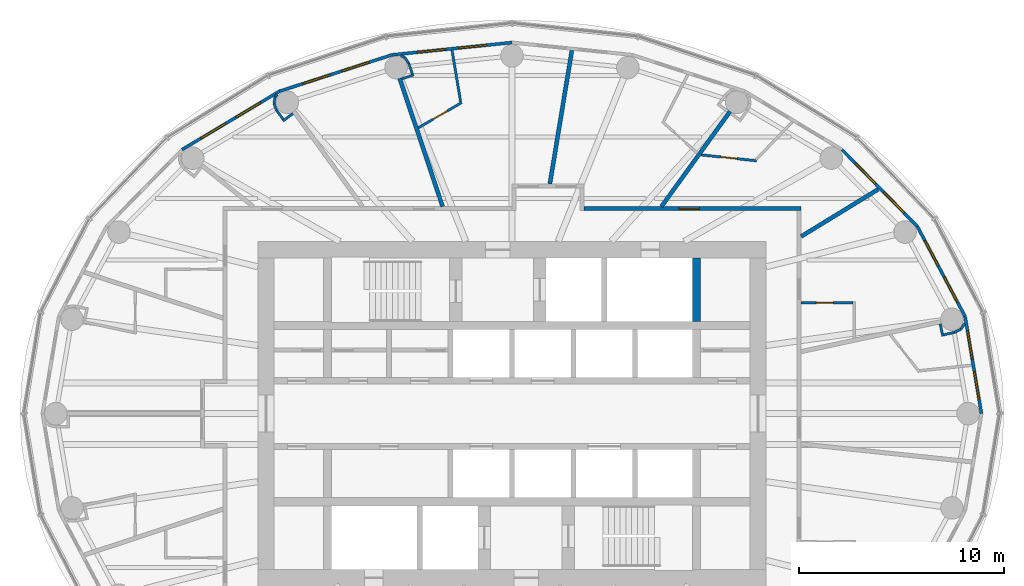
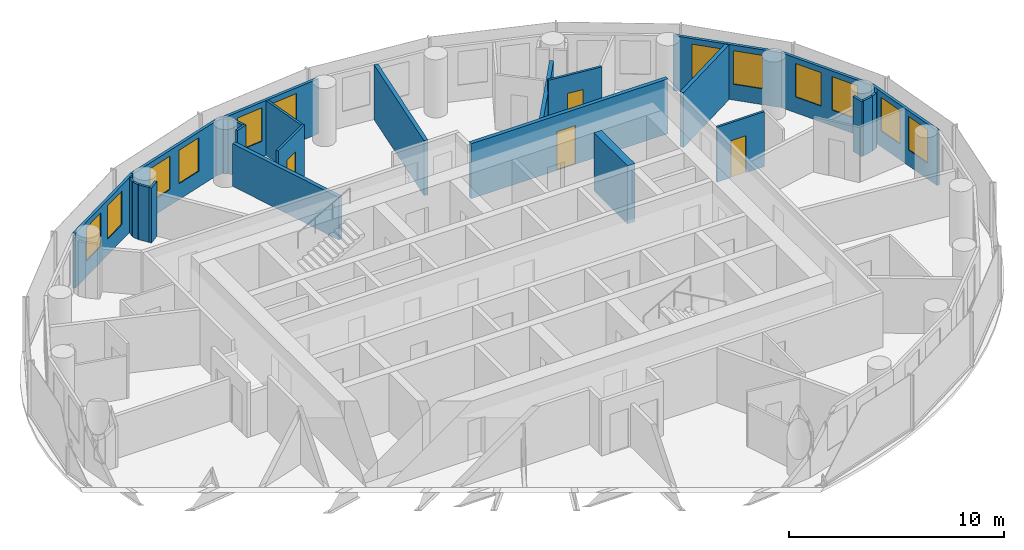
# One storey, part 11 of 13: 29 walls, 12 windows, 4 doors, 16 openings.
"""IFC4 building model written with IfcOpenShell, lengths in metres."""

from ifc_helpers import new_model, si_unit, direction, frame, frame_2d, origin, place, context, subcontext, project, spatial, rectangle, extrude, material, layer, layer_set, type_object, element, fill, save


model = new_model("IFC4")

# Units and contexts
model_context = context("Model", 3, precision=1e-05, world=origin(), true_north=direction((0.0, 1.0)))
body_context = subcontext(model_context, "Body", "Model", "MODEL_VIEW")
ifc_project = project(units=[si_unit("LENGTHUNIT", "METRE"), si_unit("AREAUNIT", "SQUARE_METRE"), si_unit("VOLUMEUNIT", "CUBIC_METRE"), si_unit("PLANEANGLEUNIT", "RADIAN"), si_unit("MASSUNIT", "GRAM", prefix="KILO")], contexts=[model_context])

# Site, building, storey
site_placement = place(None, origin())
site = spatial("IfcSite", under=ifc_project, at=site_placement, CompositionType="ELEMENT")
building_placement = place(site_placement, origin())
building = spatial("IfcBuilding", under=site, at=building_placement, Name="Hankou Lantern Tower", CompositionType="ELEMENT")
storey_placement = place(building_placement, frame((0.0, 0.0, 159.89990234375)))
storey = spatial("IfcBuildingStorey", under=building, at=storey_placement, Name="L42", CompositionType="ELEMENT", Elevation=159.89990234375)

# Wall
ifc_material_1 = material(Name="Concrete C60", Category="concrete")
ifc_layer_1 = layer(ifc_material_1, 0.39990234375)
ifc_layer_set_1 = layer_set([ifc_layer_1], Name="Concrete C60")
wall_type_1 = type_object("IfcWallType", Name="CW4 CORE CROSS WALL 400", PredefinedType="SHEAR", material=ifc_layer_set_1)
wall_1_placement = place(storey_placement, frame((9.0, 4.5, 0.0), z_axis=(0.0, 0.0, 1.0), x_axis=(0.0, 1.0, 0.0)))
element("IfcWall", 1, at=wall_1_placement, inside=storey, type_object=wall_type_1, Name="Core strip wall L42", PredefinedType="SHEAR", context=body_context, shape_type="SweptSolid", body=[
    extrude(rectangle(XDim=3.10009765625, YDim=0.39990234375, at=frame_2d((1.550048828125, 0.0))), origin(), (0.0, 0.0, 1.0), 3.300048828125),
])

# Wall, openings, windows
ifc_material_2 = material(Name="Aluminium spandrel panel on steel studs", Category="steel")
ifc_layer_2 = layer(ifc_material_2, 0.14990234375)
ifc_layer_set_2 = layer_set([ifc_layer_2], Name="Aluminium spandrel panel on steel studs")
wall_type_2 = type_object("IfcWallType", Name="EW1 INNER SKIN WALL 150", PredefinedType="ELEMENTEDWALL", material=ifc_layer_set_2)
wall_2_placement = place(storey_placement, frame((22.89990234375, 0.0, 0.0), z_axis=(0.0, 0.0, 1.0), x_axis=(-0.166162111254, 0.986098449843, 0.0)))
wall_2 = element("IfcWall", 2, at=wall_2_placement, inside=storey, type_object=wall_type_2, Name="Inner skin R01-R02 L42", PredefinedType="ELEMENTEDWALL", context=body_context, shape_type="SweptSolid", body=[
    extrude(rectangle(XDim=4.8046875, YDim=0.14990234375, at=frame_2d((2.40234375, 0.0))), origin(), (0.0, 0.0, 1.0), 3.1201171875),
])
opening_1_placement = place(wall_2_placement, frame((0.7021484375, 0.0, 0.89990234375)))
opening_1 = element("IfcOpeningElement", 3, at=opening_1_placement, cuts=wall_2, Name="Opening W3", PredefinedType="OPENING", context=body_context, shape_type="SweptSolid", body=[
    extrude(rectangle(XDim=1.39990234375, YDim=1.89990234375, at=frame_2d((0.699951171875, 0.949951171875))), frame((0.0, 0.0849609375, 0.0), z_axis=(0.0, -1.0, 0.0), x_axis=(1.0, 0.0, 0.0)), (0.0, 0.0, 1.0), 0.169921875),
])
opening_2_placement = place(wall_2_placement, frame((2.7021484375, 0.0, 0.89990234375)))
opening_2 = element("IfcOpeningElement", 4, at=opening_2_placement, cuts=wall_2, Name="Opening W3", PredefinedType="OPENING", context=body_context, shape_type="SweptSolid", body=[
    extrude(rectangle(XDim=1.39990234375, YDim=1.89990234375, at=frame_2d((0.699951171875, 0.949951171875))), frame((0.0, 0.0849609375, 0.0), z_axis=(0.0, -1.0, 0.0), x_axis=(1.0, 0.0, 0.0)), (0.0, 0.0, 1.0), 0.169921875),
])
ifc_material_3 = material(Name="Aluminium framed double glazed window", Category="aluminium")
window_type = type_object("IfcWindowType", Name="W3 GUEST ROOM WINDOW 1400X1900", PartitioningType="DOUBLE_PANEL_VERTICAL", PredefinedType="WINDOW", material=ifc_material_3)
window_1_placement = place(opening_1_placement, origin())
window_1 = element("IfcWindow", 5, at=window_1_placement, inside=storey, type_object=window_type, Name="Window R01.1 L42", OverallHeight=1.89990234375, OverallWidth=1.39990234375, PartitioningType="SINGLE_PANEL", PredefinedType="WINDOW", context=body_context, shape_type="SweptSolid", body=[
    extrude(rectangle(XDim=1.39990234375, YDim=1.89990234375, at=frame_2d((0.699951171875, 0.949951171875))), frame((0.0, 0.030029296875, 0.0), z_axis=(0.0, -1.0, 0.0), x_axis=(1.0, 0.0, 0.0)), (0.0, 0.0, 1.0), 0.06005859375),
])
fill(opening_1, window_1)
window_2_placement = place(opening_2_placement, origin())
window_2 = element("IfcWindow", 6, at=window_2_placement, inside=storey, type_object=window_type, Name="Window R01.2 L42", OverallHeight=1.89990234375, OverallWidth=1.39990234375, PartitioningType="SINGLE_PANEL", PredefinedType="WINDOW", context=body_context, shape_type="SweptSolid", body=[
    extrude(rectangle(XDim=1.39990234375, YDim=1.89990234375, at=frame_2d((0.699951171875, 0.949951171875))), frame((0.0, 0.030029296875, 0.0), z_axis=(0.0, -1.0, 0.0), x_axis=(1.0, 0.0, 0.0)), (0.0, 0.0, 1.0), 0.06005859375),
])
fill(opening_2, window_2)

wall_3_placement = place(storey_placement, frame((22.1015625, 4.73779296875, 0.0), z_axis=(0.0, 0.0, 1.0), x_axis=(-0.468428906714, 0.883501193748, 0.0)))
wall_3 = element("IfcWall", 7, at=wall_3_placement, inside=storey, type_object=wall_type_2, Name="Inner skin R02-R03 L42", PredefinedType="ELEMENTEDWALL", context=body_context, shape_type="SweptSolid", body=[
    extrude(rectangle(XDim=4.9736328125, YDim=0.14990234375, at=frame_2d((2.48681640625, 0.0))), origin(), (0.0, 0.0, 1.0), 3.1201171875),
])
opening_3_placement = place(wall_3_placement, frame((0.786865234375, 0.0, 0.89990234375)))
opening_3 = element("IfcOpeningElement", 8, at=opening_3_placement, cuts=wall_3, Name="Opening W3", PredefinedType="OPENING", context=body_context, shape_type="SweptSolid", body=[
    extrude(rectangle(XDim=1.39990234375, YDim=1.89990234375, at=frame_2d((0.699951171875, 0.949951171875))), frame((0.0, 0.0849609375, 0.0), z_axis=(0.0, -1.0, 0.0), x_axis=(1.0, 0.0, 0.0)), (0.0, 0.0, 1.0), 0.169921875),
])
opening_4_placement = place(wall_3_placement, frame((2.786865234375, 0.0, 0.89990234375)))
opening_4 = element("IfcOpeningElement", 9, at=opening_4_placement, cuts=wall_3, Name="Opening W3", PredefinedType="OPENING", context=body_context, shape_type="SweptSolid", body=[
    extrude(rectangle(XDim=1.39990234375, YDim=1.89990234375, at=frame_2d((0.699951171875, 0.949951171875))), frame((0.0, 0.0849609375, 0.0), z_axis=(0.0, -1.0, 0.0), x_axis=(1.0, 0.0, 0.0)), (0.0, 0.0, 1.0), 0.169921875),
])
window_3_placement = place(opening_3_placement, origin())
window_3 = element("IfcWindow", 10, at=window_3_placement, inside=storey, type_object=window_type, Name="Window R02.1 L42", OverallHeight=1.89990234375, OverallWidth=1.39990234375, PartitioningType="SINGLE_PANEL", PredefinedType="WINDOW", context=body_context, shape_type="SweptSolid", body=[
    extrude(rectangle(XDim=1.39990234375, YDim=1.89990234375, at=frame_2d((0.699951171875, 0.949951171875))), frame((0.0, 0.030029296875, 0.0), z_axis=(0.0, -1.0, 0.0), x_axis=(1.0, 0.0, 0.0)), (0.0, 0.0, 1.0), 0.06005859375),
])
fill(opening_3, window_3)
window_4_placement = place(opening_4_placement, origin())
window_4 = element("IfcWindow", 11, at=window_4_placement, inside=storey, type_object=window_type, Name="Window R02.2 L42", OverallHeight=1.89990234375, OverallWidth=1.39990234375, PartitioningType="SINGLE_PANEL", PredefinedType="WINDOW", context=body_context, shape_type="SweptSolid", body=[
    extrude(rectangle(XDim=1.39990234375, YDim=1.89990234375, at=frame_2d((0.699951171875, 0.949951171875))), frame((0.0, 0.030029296875, 0.0), z_axis=(0.0, -1.0, 0.0), x_axis=(1.0, 0.0, 0.0)), (0.0, 0.0, 1.0), 0.06005859375),
])
fill(opening_4, window_4)

wall_4_placement = place(storey_placement, frame((19.771728515625, 9.132080078125, 0.0), z_axis=(0.0, 0.0, 1.0), x_axis=(-0.700727467776, 0.71342905457, 0.0)))
wall_4 = element("IfcWall", 12, at=wall_4_placement, inside=storey, type_object=wall_type_2, Name="Inner skin R03-R04 L42", PredefinedType="ELEMENTEDWALL", context=body_context, shape_type="SweptSolid", body=[
    extrude(rectangle(XDim=5.247314453125, YDim=0.14990234375, at=frame_2d((2.62353515625, 0.0))), origin(), (0.0, 0.0, 1.0), 3.1201171875),
])
opening_5_placement = place(wall_4_placement, frame((0.923583984375, 0.0, 0.89990234375)))
opening_5 = element("IfcOpeningElement", 13, at=opening_5_placement, cuts=wall_4, Name="Opening W3", PredefinedType="OPENING", context=body_context, shape_type="SweptSolid", body=[
    extrude(rectangle(XDim=1.39990234375, YDim=1.89990234375, at=frame_2d((0.699951171875, 0.949951171875))), frame((0.0, 0.0849609375, 0.0), z_axis=(0.0, -1.0, 0.0), x_axis=(1.0, 0.0, 0.0)), (0.0, 0.0, 1.0), 0.169921875),
])
opening_6_placement = place(wall_4_placement, frame((2.923583984375, 0.0, 0.89990234375)))
opening_6 = element("IfcOpeningElement", 14, at=opening_6_placement, cuts=wall_4, Name="Opening W3", PredefinedType="OPENING", context=body_context, shape_type="SweptSolid", body=[
    extrude(rectangle(XDim=1.39990234375, YDim=1.89990234375, at=frame_2d((0.699951171875, 0.949951171875))), frame((0.0, 0.0849609375, 0.0), z_axis=(0.0, -1.0, 0.0), x_axis=(1.0, 0.0, 0.0)), (0.0, 0.0, 1.0), 0.169921875),
])
window_5_placement = place(opening_5_placement, origin())
window_5 = element("IfcWindow", 15, at=window_5_placement, inside=storey, type_object=window_type, Name="Window R03.1 L42", OverallHeight=1.89990234375, OverallWidth=1.39990234375, PartitioningType="SINGLE_PANEL", PredefinedType="WINDOW", context=body_context, shape_type="SweptSolid", body=[
    extrude(rectangle(XDim=1.39990234375, YDim=1.89990234375, at=frame_2d((0.699951171875, 0.949951171875))), frame((0.0, 0.030029296875, 0.0), z_axis=(0.0, -1.0, 0.0), x_axis=(1.0, 0.0, 0.0)), (0.0, 0.0, 1.0), 0.06005859375),
])
fill(opening_5, window_5)
window_6_placement = place(opening_6_placement, origin())
window_6 = element("IfcWindow", 16, at=window_6_placement, inside=storey, type_object=window_type, Name="Window R03.2 L42", OverallHeight=1.89990234375, OverallWidth=1.39990234375, PartitioningType="SINGLE_PANEL", PredefinedType="WINDOW", context=body_context, shape_type="SweptSolid", body=[
    extrude(rectangle(XDim=1.39990234375, YDim=1.89990234375, at=frame_2d((0.699951171875, 0.949951171875))), frame((0.0, 0.030029296875, 0.0), z_axis=(0.0, -1.0, 0.0), x_axis=(1.0, 0.0, 0.0)), (0.0, 0.0, 1.0), 0.06005859375),
])
fill(opening_6, window_6)

wall_5_placement = place(storey_placement, frame((0.0, 18.10009765625, 0.0), z_axis=(0.0, 0.0, 1.0), x_axis=(-0.994751738032, -0.102318032045, 0.0)))
wall_5 = element("IfcWall", 17, at=wall_5_placement, inside=storey, type_object=wall_type_2, Name="Inner skin R07-R08 L42", PredefinedType="ELEMENTEDWALL", context=body_context, shape_type="SweptSolid", body=[
    extrude(rectangle(XDim=5.891357421875, YDim=0.14990234375, at=frame_2d((2.94580078125, 0.0))), origin(), (0.0, 0.0, 1.0), 3.1201171875),
])
opening_7_placement = place(wall_5_placement, frame((1.24560546875, 0.0, 0.89990234375)))
opening_7 = element("IfcOpeningElement", 18, at=opening_7_placement, cuts=wall_5, Name="Opening W3", PredefinedType="OPENING", context=body_context, shape_type="SweptSolid", body=[
    extrude(rectangle(XDim=1.39990234375, YDim=1.89990234375, at=frame_2d((0.699951171875, 0.949951171875))), frame((0.0, 0.0849609375, 0.0), z_axis=(0.0, -1.0, 0.0), x_axis=(1.0, 0.0, 0.0)), (0.0, 0.0, 1.0), 0.169921875),
])
opening_8_placement = place(wall_5_placement, frame((3.24560546875, 0.0, 0.89990234375)))
opening_8 = element("IfcOpeningElement", 19, at=opening_8_placement, cuts=wall_5, Name="Opening W3", PredefinedType="OPENING", context=body_context, shape_type="SweptSolid", body=[
    extrude(rectangle(XDim=1.39990234375, YDim=1.89990234375, at=frame_2d((0.699951171875, 0.949951171875))), frame((0.0, 0.0849609375, 0.0), z_axis=(0.0, -1.0, 0.0), x_axis=(1.0, 0.0, 0.0)), (0.0, 0.0, 1.0), 0.169921875),
])
window_7_placement = place(opening_7_placement, origin())
window_7 = element("IfcWindow", 20, at=window_7_placement, inside=storey, type_object=window_type, Name="Window R07.1 L42", OverallHeight=1.89990234375, OverallWidth=1.39990234375, PartitioningType="SINGLE_PANEL", PredefinedType="WINDOW", context=body_context, shape_type="SweptSolid", body=[
    extrude(rectangle(XDim=1.39990234375, YDim=1.89990234375, at=frame_2d((0.699951171875, 0.949951171875))), frame((0.0, 0.030029296875, 0.0), z_axis=(0.0, -1.0, 0.0), x_axis=(1.0, 0.0, 0.0)), (0.0, 0.0, 1.0), 0.06005859375),
])
fill(opening_7, window_7)
window_8_placement = place(opening_8_placement, origin())
window_8 = element("IfcWindow", 21, at=window_8_placement, inside=storey, type_object=window_type, Name="Window R07.2 L42", OverallHeight=1.89990234375, OverallWidth=1.39990234375, PartitioningType="SINGLE_PANEL", PredefinedType="WINDOW", context=body_context, shape_type="SweptSolid", body=[
    extrude(rectangle(XDim=1.39990234375, YDim=1.89990234375, at=frame_2d((0.699951171875, 0.949951171875))), frame((0.0, 0.030029296875, 0.0), z_axis=(0.0, -1.0, 0.0), x_axis=(1.0, 0.0, 0.0)), (0.0, 0.0, 1.0), 0.06005859375),
])
fill(opening_8, window_8)

wall_6_placement = place(storey_placement, frame((-5.8603515625, 17.497314453125, 0.0), z_axis=(0.0, 0.0, 1.0), x_axis=(-0.951432482129, -0.307857486429, 0.0)))
wall_6 = element("IfcWall", 22, at=wall_6_placement, inside=storey, type_object=wall_type_2, Name="Inner skin R08-R09 L42", PredefinedType="ELEMENTEDWALL", context=body_context, shape_type="SweptSolid", body=[
    extrude(rectangle(XDim=5.76611328125, YDim=0.14990234375, at=frame_2d((2.883056640625, 0.0))), origin(), (0.0, 0.0, 1.0), 3.1201171875),
])
opening_9_placement = place(wall_6_placement, frame((1.18310546875, 0.0, 0.89990234375)))
opening_9 = element("IfcOpeningElement", 23, at=opening_9_placement, cuts=wall_6, Name="Opening W3", PredefinedType="OPENING", context=body_context, shape_type="SweptSolid", body=[
    extrude(rectangle(XDim=1.39990234375, YDim=1.89990234375, at=frame_2d((0.699951171875, 0.949951171875))), frame((0.0, 0.0849609375, 0.0), z_axis=(0.0, -1.0, 0.0), x_axis=(1.0, 0.0, 0.0)), (0.0, 0.0, 1.0), 0.169921875),
])
opening_10_placement = place(wall_6_placement, frame((3.18310546875, 0.0, 0.89990234375)))
opening_10 = element("IfcOpeningElement", 24, at=opening_10_placement, cuts=wall_6, Name="Opening W3", PredefinedType="OPENING", context=body_context, shape_type="SweptSolid", body=[
    extrude(rectangle(XDim=1.39990234375, YDim=1.89990234375, at=frame_2d((0.699951171875, 0.949951171875))), frame((0.0, 0.0849609375, 0.0), z_axis=(0.0, -1.0, 0.0), x_axis=(1.0, 0.0, 0.0)), (0.0, 0.0, 1.0), 0.169921875),
])
window_9_placement = place(opening_9_placement, origin())
window_9 = element("IfcWindow", 25, at=window_9_placement, inside=storey, type_object=window_type, Name="Window R08.1 L42", OverallHeight=1.89990234375, OverallWidth=1.39990234375, PartitioningType="SINGLE_PANEL", PredefinedType="WINDOW", context=body_context, shape_type="SweptSolid", body=[
    extrude(rectangle(XDim=1.39990234375, YDim=1.89990234375, at=frame_2d((0.699951171875, 0.949951171875))), frame((0.0, 0.030029296875, 0.0), z_axis=(0.0, -1.0, 0.0), x_axis=(1.0, 0.0, 0.0)), (0.0, 0.0, 1.0), 0.06005859375),
])
fill(opening_9, window_9)
window_10_placement = place(opening_10_placement, origin())
window_10 = element("IfcWindow", 26, at=window_10_placement, inside=storey, type_object=window_type, Name="Window R08.2 L42", OverallHeight=1.89990234375, OverallWidth=1.39990234375, PartitioningType="SINGLE_PANEL", PredefinedType="WINDOW", context=body_context, shape_type="SweptSolid", body=[
    extrude(rectangle(XDim=1.39990234375, YDim=1.89990234375, at=frame_2d((0.699951171875, 0.949951171875))), frame((0.0, 0.030029296875, 0.0), z_axis=(0.0, -1.0, 0.0), x_axis=(1.0, 0.0, 0.0)), (0.0, 0.0, 1.0), 0.06005859375),
])
fill(opening_10, window_10)

wall_7_placement = place(storey_placement, frame((-11.346435546875, 15.72216796875, 0.0), z_axis=(0.0, 0.0, 1.0), x_axis=(-0.857695199231, -0.514158482587, 0.0)))
wall_7 = element("IfcWall", 27, at=wall_7_placement, inside=storey, type_object=wall_type_2, Name="Inner skin R09-R10 L42", PredefinedType="ELEMENTEDWALL", context=body_context, shape_type="SweptSolid", body=[
    extrude(rectangle(XDim=5.5361328125, YDim=0.14990234375, at=frame_2d((2.76806640625, 0.0))), origin(), (0.0, 0.0, 1.0), 3.1201171875),
])
opening_11_placement = place(wall_7_placement, frame((1.068115234375, 0.0, 0.89990234375)))
opening_11 = element("IfcOpeningElement", 28, at=opening_11_placement, cuts=wall_7, Name="Opening W3", PredefinedType="OPENING", context=body_context, shape_type="SweptSolid", body=[
    extrude(rectangle(XDim=1.39990234375, YDim=1.89990234375, at=frame_2d((0.699951171875, 0.949951171875))), frame((0.0, 0.0849609375, 0.0), z_axis=(0.0, -1.0, 0.0), x_axis=(1.0, 0.0, 0.0)), (0.0, 0.0, 1.0), 0.169921875),
])
opening_12_placement = place(wall_7_placement, frame((3.068115234375, 0.0, 0.89990234375)))
opening_12 = element("IfcOpeningElement", 29, at=opening_12_placement, cuts=wall_7, Name="Opening W3", PredefinedType="OPENING", context=body_context, shape_type="SweptSolid", body=[
    extrude(rectangle(XDim=1.39990234375, YDim=1.89990234375, at=frame_2d((0.699951171875, 0.949951171875))), frame((0.0, 0.0849609375, 0.0), z_axis=(0.0, -1.0, 0.0), x_axis=(1.0, 0.0, 0.0)), (0.0, 0.0, 1.0), 0.169921875),
])
window_11_placement = place(opening_11_placement, origin())
window_11 = element("IfcWindow", 30, at=window_11_placement, inside=storey, type_object=window_type, Name="Window R09.1 L42", OverallHeight=1.89990234375, OverallWidth=1.39990234375, PartitioningType="SINGLE_PANEL", PredefinedType="WINDOW", context=body_context, shape_type="SweptSolid", body=[
    extrude(rectangle(XDim=1.39990234375, YDim=1.89990234375, at=frame_2d((0.699951171875, 0.949951171875))), frame((0.0, 0.030029296875, 0.0), z_axis=(0.0, -1.0, 0.0), x_axis=(1.0, 0.0, 0.0)), (0.0, 0.0, 1.0), 0.06005859375),
])
fill(opening_11, window_11)
window_12_placement = place(opening_12_placement, origin())
window_12 = element("IfcWindow", 31, at=window_12_placement, inside=storey, type_object=window_type, Name="Window R09.2 L42", OverallHeight=1.89990234375, OverallWidth=1.39990234375, PartitioningType="SINGLE_PANEL", PredefinedType="WINDOW", context=body_context, shape_type="SweptSolid", body=[
    extrude(rectangle(XDim=1.39990234375, YDim=1.89990234375, at=frame_2d((0.699951171875, 0.949951171875))), frame((0.0, 0.030029296875, 0.0), z_axis=(0.0, -1.0, 0.0), x_axis=(1.0, 0.0, 0.0)), (0.0, 0.0, 1.0), 0.06005859375),
])
fill(opening_12, window_12)

# Walls
ifc_material_4 = material(Name="Masonry lightweight concrete block", Category="masonry")
ifc_layer_3 = layer(ifc_material_4, 0.199951171875)
ifc_layer_set_3 = layer_set([ifc_layer_3], Name="Masonry lightweight concrete block")
wall_type_3 = type_object("IfcWallType", Name="IW1 GUEST ROOM PARTY WALL 200", PredefinedType="PARTITIONING", material=ifc_layer_set_3)
wall_8_placement = place(storey_placement, frame((14.10009765625, 8.63623046875, 0.0), z_axis=(0.0, 0.0, 1.0), x_axis=(0.852731884196, 0.522348862041, 0.0)))
element("IfcWall", 32, at=wall_8_placement, inside=storey, type_object=wall_type_3, Name="Party wall R03-R04", PredefinedType="PARTITIONING", context=body_context, shape_type="SweptSolid", body=[
    extrude(rectangle(XDim=4.404296875, YDim=0.199951171875, at=frame_2d((2.2021484375, 0.0))), origin(), (0.0, 0.0, 1.0), 3.1201171875),
])
wall_9_placement = place(storey_placement, frame((7.2890625, 10.10009765625, 0.0), z_axis=(0.0, 0.0, 1.0), x_axis=(0.585222595178, 0.810872686735, 0.0)))
element("IfcWall", 33, at=wall_9_placement, inside=storey, type_object=wall_type_3, Name="Party wall R05", PredefinedType="PARTITIONING", context=body_context, shape_type="SweptSolid", body=[
    extrude(rectangle(XDim=5.722412109375, YDim=0.199951171875, at=frame_2d((2.861328125, 0.0))), origin(), (0.0, 0.0, 1.0), 2.420166015625),
])
wall_10_placement = place(storey_placement, frame((1.8466796875, 11.199951171875, 0.0), z_axis=(0.0, 0.0, 1.0), x_axis=(0.162695449404, 0.986676335352, 0.0)))
element("IfcWall", 34, at=wall_10_placement, inside=storey, type_object=wall_type_3, Name="Party wall R06-R07", PredefinedType="PARTITIONING", context=body_context, shape_type="SweptSolid", body=[
    extrude(rectangle(XDim=6.60107421875, YDim=0.199951171875, at=frame_2d((3.300537109375, 0.0))), origin(), (0.0, 0.0, 1.0), 3.1201171875),
])

# Wall, opening, door
ifc_material_5 = material(Name="Masonry lightweight concrete block", Category="masonry")
ifc_layer_4 = layer(ifc_material_5, 0.199951171875)
ifc_layer_set_4 = layer_set([ifc_layer_4], Name="Masonry lightweight concrete block")
wall_type_4 = type_object("IfcWallType", Name="IW2 CORRIDOR WALL 200", PredefinedType="PARTITIONING", material=ifc_layer_set_4)
wall_11_placement = place(storey_placement, frame((3.51806640625, 10.0, 0.0), z_axis=(0.0, 0.0, 1.0), x_axis=(1.0, 0.0, 0.0)))
wall_11 = element("IfcWall", 35, at=wall_11_placement, inside=storey, type_object=wall_type_4, Name="Corridor wall north", PredefinedType="PARTITIONING", context=body_context, shape_type="SweptSolid", body=[
    extrude(rectangle(XDim=10.58203125, YDim=0.199951171875, at=frame_2d((5.291015625, 0.0))), origin(), (0.0, 0.0, 1.0), 3.1201171875),
])
opening_13_placement = place(wall_11_placement, frame((4.620849609375, 0.0, 0.0)))
opening_13 = element("IfcOpeningElement", 36, at=opening_13_placement, cuts=wall_11, Name="Opening D1", PredefinedType="OPENING", context=body_context, shape_type="SweptSolid", body=[
    extrude(rectangle(XDim=1.0, YDim=2.199951171875, at=frame_2d((0.5, 1.10009765625))), frame((0.0, 0.10986328125, 0.0), z_axis=(0.0, -1.0, 0.0), x_axis=(1.0, 0.0, 0.0)), (0.0, 0.0, 1.0), 0.219970703125),
])
ifc_material_6 = material(Name="Steel door leaf", Category="steel")
door_type_1 = type_object("IfcDoorType", Name="D1 GUEST ROOM DOOR 1000X2200", OperationType="SINGLE_SWING_LEFT", PredefinedType="DOOR", material=ifc_material_6)
door_1_placement = place(opening_13_placement, origin())
door_1 = element("IfcDoor", 37, at=door_1_placement, inside=storey, type_object=door_type_1, Name="Guest room door 4213", OperationType="SINGLE_SWING_LEFT", OverallHeight=2.199951171875, OverallWidth=1.0, PredefinedType="DOOR", context=body_context, shape_type="SweptSolid", body=[
    extrude(rectangle(XDim=1.0, YDim=2.199951171875, at=frame_2d((0.5, 1.10009765625))), frame((0.0, 0.02490234375, 0.0), z_axis=(0.0, -1.0, 0.0), x_axis=(1.0, 0.0, 0.0)), (0.0, 0.0, 1.0), 0.050048828125),
])
fill(opening_13, door_1)

# Walls
ifc_material_7 = material(Name="Masonry lightweight concrete block", Category="masonry")
ifc_layer_5 = layer(ifc_material_7, 0.1201171875)
ifc_layer_set_5 = layer_set([ifc_layer_5], Name="Masonry lightweight concrete block")
wall_type_5 = type_object("IfcWallType", Name="IW3 BATHROOM WALL 120", PredefinedType="PARTITIONING", material=ifc_layer_set_5)
wall_12_placement = place(storey_placement, frame((20.88720703125, 4.375, 0.0), z_axis=(0.0, 0.0, 1.0), x_axis=(0.209746941802, -0.977755705892, 0.0)))
element("IfcWall", 38, at=wall_12_placement, inside=storey, type_object=wall_type_5, Name="Column casing 4211 return", PredefinedType="PARTITIONING", context=body_context, shape_type="SweptSolid", body=[
    extrude(rectangle(XDim=0.6123046875, YDim=0.1201171875, at=frame_2d((0.30615234375, 0.0))), origin(), (0.0, 0.0, 1.0), 3.1201171875),
])
wall_13_placement = place(storey_placement, frame((21.061767578125, 3.84765625, 0.0), z_axis=(0.0, 0.0, 1.0), x_axis=(0.977789415726, 0.209589738521, 0.0)))
element("IfcWall", 39, at=wall_13_placement, inside=storey, type_object=wall_type_5, Name="Column casing 4211", PredefinedType="PARTITIONING", context=body_context, shape_type="SweptSolid", body=[
    extrude(rectangle(XDim=0.5498046875, YDim=0.1201171875, at=frame_2d((0.27490234375, 0.0))), origin(), (0.0, 0.0, 1.0), 3.1201171875),
])
wall_14_placement = place(storey_placement, frame((21.599365234375, 3.962890625, 0.0), z_axis=(0.0, 0.0, 1.0), x_axis=(0.890193602875, 0.455582428766, 0.0)))
element("IfcWall", 40, at=wall_14_placement, inside=storey, type_object=wall_type_5, Name="Column casing 4211", PredefinedType="PARTITIONING", context=body_context, shape_type="SweptSolid", body=[
    extrude(rectangle(XDim=0.337646484375, YDim=0.1201171875, at=frame_2d((0.1689453125, 0.0))), origin(), (0.0, 0.0, 1.0), 3.1201171875),
])
wall_15_placement = place(storey_placement, frame((21.89990234375, 4.11669921875, 0.0), z_axis=(0.0, 0.0, 1.0), x_axis=(0.543582688681, 0.839355622228, 0.0)))
element("IfcWall", 41, at=wall_15_placement, inside=storey, type_object=wall_type_5, Name="Column casing 4211", PredefinedType="PARTITIONING", context=body_context, shape_type="SweptSolid", body=[
    extrude(rectangle(XDim=0.3359375, YDim=0.1201171875, at=frame_2d((0.16796875, 0.0))), origin(), (0.0, 0.0, 1.0), 3.1201171875),
])

# Wall, opening, door
wall_16_placement = place(storey_placement, frame((14.10009765625, 5.402587890625, 0.0), z_axis=(0.0, 0.0, 1.0), x_axis=(1.0, 0.0, 0.0)))
wall_16 = element("IfcWall", 42, at=wall_16_placement, inside=storey, type_object=wall_type_5, Name="Box wall 4212 1", PredefinedType="PARTITIONING", context=body_context, shape_type="SweptSolid", body=[
    extrude(rectangle(XDim=2.539794921875, YDim=0.1201171875, at=frame_2d((1.27001953125, 0.0))), origin(), (0.0, 0.0, 1.0), 3.1201171875),
])
opening_14_placement = place(wall_16_placement, frame((0.75, 0.0, 0.0)))
opening_14 = element("IfcOpeningElement", 43, at=opening_14_placement, cuts=wall_16, Name="Opening D3", PredefinedType="OPENING", context=body_context, shape_type="SweptSolid", body=[
    extrude(rectangle(XDim=0.800048828125, YDim=2.10009765625, at=frame_2d((0.39990234375, 1.050048828125))), frame((0.0, 0.070068359375, 0.0), z_axis=(0.0, -1.0, 0.0), x_axis=(1.0, 0.0, 0.0)), (0.0, 0.0, 1.0), 0.14013671875),
])
ifc_material_8 = material(Name="Timber door leaf", Category="wood")
door_type_2 = type_object("IfcDoorType", Name="D3 BATHROOM DOOR 800X2100", OperationType="SINGLE_SWING_LEFT", PredefinedType="DOOR", material=ifc_material_8)
door_2_placement = place(opening_14_placement, origin())
door_2 = element("IfcDoor", 44, at=door_2_placement, inside=storey, type_object=door_type_2, Name="En-suite bathroom 4212 door", OperationType="SINGLE_SWING_LEFT", OverallHeight=2.10009765625, OverallWidth=0.800048828125, PredefinedType="DOOR", context=body_context, shape_type="SweptSolid", body=[
    extrude(rectangle(XDim=0.800048828125, YDim=2.10009765625, at=frame_2d((0.39990234375, 1.050048828125))), frame((0.0, 0.02490234375, 0.0), z_axis=(0.0, -1.0, 0.0), x_axis=(1.0, 0.0, 0.0)), (0.0, 0.0, 1.0), 0.050048828125),
])
fill(opening_14, door_2)

wall_17_placement = place(storey_placement, frame((9.23095703125, 12.619873046875, 0.0), z_axis=(0.0, 0.0, 1.0), x_axis=(0.99437860496, -0.10588290701, 0.0)))
wall_17 = element("IfcWall", 45, at=wall_17_placement, inside=storey, type_object=wall_type_5, Name="Box wall 4213 1", PredefinedType="PARTITIONING", context=body_context, shape_type="SweptSolid", body=[
    extrude(rectangle(XDim=2.70458984375, YDim=0.1201171875, at=frame_2d((1.352294921875, 0.0))), origin(), (0.0, 0.0, 1.0), 3.1201171875),
])
opening_15_placement = place(wall_17_placement, frame((0.952392578125, 0.0, 0.0)))
opening_15 = element("IfcOpeningElement", 46, at=opening_15_placement, cuts=wall_17, Name="Opening D3", PredefinedType="OPENING", context=body_context, shape_type="SweptSolid", body=[
    extrude(rectangle(XDim=0.800048828125, YDim=2.10009765625, at=frame_2d((0.39990234375, 1.050048828125))), frame((0.0, 0.070068359375, 0.0), z_axis=(0.0, -1.0, 0.0), x_axis=(1.0, 0.0, 0.0)), (0.0, 0.0, 1.0), 0.14013671875),
])
door_3_placement = place(opening_15_placement, origin())
door_3 = element("IfcDoor", 47, at=door_3_placement, inside=storey, type_object=door_type_2, Name="En-suite bathroom 4213 door", OperationType="SINGLE_SWING_LEFT", OverallHeight=2.10009765625, OverallWidth=0.800048828125, PredefinedType="DOOR", context=body_context, shape_type="SweptSolid", body=[
    extrude(rectangle(XDim=0.800048828125, YDim=2.10009765625, at=frame_2d((0.39990234375, 1.050048828125))), frame((0.0, 0.02490234375, 0.0), z_axis=(0.0, -1.0, 0.0), x_axis=(1.0, 0.0, 0.0)), (0.0, 0.0, 1.0), 0.050048828125),
])
fill(opening_15, door_3)

wall_18_placement = place(storey_placement, frame((-4.564208984375, 13.94189453125, 0.0), z_axis=(0.0, 0.0, 1.0), x_axis=(0.863717519451, 0.503976236139, 0.0)))
wall_18 = element("IfcWall", 48, at=wall_18_placement, inside=storey, type_object=wall_type_5, Name="Box wall 4215 1", PredefinedType="PARTITIONING", context=body_context, shape_type="SweptSolid", body=[
    extrude(rectangle(XDim=2.45263671875, YDim=0.1201171875, at=frame_2d((1.226318359375, 0.0))), origin(), (0.0, 0.0, 1.0), 3.1201171875),
])
opening_16_placement = place(wall_18_placement, frame((0.826171875, 0.0, 0.0)))
opening_16 = element("IfcOpeningElement", 49, at=opening_16_placement, cuts=wall_18, Name="Opening D3", PredefinedType="OPENING", context=body_context, shape_type="SweptSolid", body=[
    extrude(rectangle(XDim=0.800048828125, YDim=2.10009765625, at=frame_2d((0.39990234375, 1.050048828125))), frame((0.0, 0.070068359375, 0.0), z_axis=(0.0, -1.0, 0.0), x_axis=(1.0, 0.0, 0.0)), (0.0, 0.0, 1.0), 0.14013671875),
])
door_4_placement = place(opening_16_placement, origin())
door_4 = element("IfcDoor", 50, at=door_4_placement, inside=storey, type_object=door_type_2, Name="En-suite bathroom 4215 door", OperationType="SINGLE_SWING_LEFT", OverallHeight=2.10009765625, OverallWidth=0.800048828125, PredefinedType="DOOR", context=body_context, shape_type="SweptSolid", body=[
    extrude(rectangle(XDim=0.800048828125, YDim=2.10009765625, at=frame_2d((0.39990234375, 1.050048828125))), frame((0.0, 0.02490234375, 0.0), z_axis=(0.0, -1.0, 0.0), x_axis=(1.0, 0.0, 0.0)), (0.0, 0.0, 1.0), 0.050048828125),
])
fill(opening_16, door_4)

# Walls
wall_19_placement = place(storey_placement, frame((-2.507568359375, 15.20703125, 0.0), z_axis=(0.0, 0.0, 1.0), x_axis=(-0.162637365963, 0.986685911115, 0.0)))
element("IfcWall", 51, at=wall_19_placement, inside=storey, type_object=wall_type_5, Name="Box wall 4215 2", PredefinedType="PARTITIONING", context=body_context, shape_type="SweptSolid", body=[
    extrude(rectangle(XDim=2.5400390625, YDim=0.1201171875, at=frame_2d((1.27001953125, 0.0))), origin(), (0.0, 0.0, 1.0), 3.1201171875),
])
wall_20_placement = place(storey_placement, frame((-5.3642578125, 16.330810546875, 0.0), z_axis=(0.0, 0.0, 1.0), x_axis=(0.948283770087, 0.317423835572, 0.0)))
element("IfcWall", 52, at=wall_20_placement, inside=storey, type_object=wall_type_5, Name="Column casing 4215 return", PredefinedType="PARTITIONING", context=body_context, shape_type="SweptSolid", body=[
    extrude(rectangle(XDim=0.6123046875, YDim=0.1201171875, at=frame_2d((0.30615234375, 0.0))), origin(), (0.0, 0.0, 1.0), 3.1201171875),
])
wall_21_placement = place(storey_placement, frame((-4.859619140625, 16.56298828125, 0.0), z_axis=(0.0, 0.0, 1.0), x_axis=(-0.317825321803, 0.948149284038, 0.0)))
element("IfcWall", 53, at=wall_21_placement, inside=storey, type_object=wall_type_5, Name="Column casing 4215", PredefinedType="PARTITIONING", context=body_context, shape_type="SweptSolid", body=[
    extrude(rectangle(XDim=0.550048828125, YDim=0.1201171875, at=frame_2d((0.27490234375, 0.0))), origin(), (0.0, 0.0, 1.0), 3.1201171875),
])
wall_22_placement = place(storey_placement, frame((-5.034423828125, 17.08447265625, 0.0), z_axis=(0.0, 0.0, 1.0), x_axis=(-0.552362205726, 0.833604218851, 0.0)))
element("IfcWall", 54, at=wall_22_placement, inside=storey, type_object=wall_type_5, Name="Column casing 4215", PredefinedType="PARTITIONING", context=body_context, shape_type="SweptSolid", body=[
    extrude(rectangle(XDim=0.337646484375, YDim=0.1201171875, at=frame_2d((0.1689453125, 0.0))), origin(), (0.0, 0.0, 1.0), 3.1201171875),
])
wall_23_placement = place(storey_placement, frame((-5.220947265625, 17.365966796875, 0.0), z_axis=(0.0, 0.0, 1.0), x_axis=(-0.895067896179, 0.445929883759, 0.0)))
element("IfcWall", 55, at=wall_23_placement, inside=storey, type_object=wall_type_5, Name="Column casing 4215", PredefinedType="PARTITIONING", context=body_context, shape_type="SweptSolid", body=[
    extrude(rectangle(XDim=0.228271484375, YDim=0.1201171875, at=frame_2d((0.1142578125, 0.0))), origin(), (0.0, 0.0, 1.0), 3.1201171875),
])
ifc_material_9 = material(Name="Masonry lightweight concrete block", Category="masonry")
ifc_layer_6 = layer(ifc_material_9, 0.1201171875)
ifc_layer_set_6 = layer_set([ifc_layer_6], Name="Masonry lightweight concrete block")
wall_type_6 = type_object("IfcWallType", Name="IW4 PARTITION 120", PredefinedType="PARTITIONING", material=ifc_layer_set_6)
wall_24_placement = place(storey_placement, frame((-10.683837890625, 14.633056640625, 0.0), z_axis=(0.0, 0.0, 1.0), x_axis=(-0.810921075692, -0.585155542568, 0.0)))
element("IfcWall", 56, at=wall_24_placement, inside=storey, type_object=wall_type_6, Name="Column casing R09 return", PredefinedType="PARTITIONING", context=body_context, shape_type="SweptSolid", body=[
    extrude(rectangle(XDim=0.612060546875, YDim=0.1201171875, at=frame_2d((0.30615234375, 0.0))), origin(), (0.0, 0.0, 1.0), 3.1201171875),
])
wall_25_placement = place(storey_placement, frame((-11.166748046875, 14.358642578125, 0.0), z_axis=(0.0, 0.0, 1.0), x_axis=(-0.585263549799, 0.810843127415, 0.0)))
element("IfcWall", 57, at=wall_25_placement, inside=storey, type_object=wall_type_6, Name="Column casing R09", PredefinedType="PARTITIONING", context=body_context, shape_type="SweptSolid", body=[
    extrude(rectangle(XDim=0.5498046875, YDim=0.1201171875, at=frame_2d((0.27490234375, 0.0))), origin(), (0.0, 0.0, 1.0), 3.1201171875),
])
for number, where, z_axis, x_axis, name in (
    (58, (-11.488525390625, 14.804443359375, 0.0), (0.0, 0.0, 1.0), (-0.355634599475, 0.934625075448, 0.0), "Column casing R09"),
    (59, (-11.608642578125, 15.1201171875, 0.0), (0.0, 0.0, 1.0), (0.159823572519, 0.987145594969, 0.0), "Column casing R09"),
):
    element("IfcWall", number, at=place(storey_placement, frame(where, z_axis=z_axis, x_axis=x_axis)), inside=storey, type_object=wall_type_6, Name=name, PredefinedType="PARTITIONING", context=body_context, shape_type="SweptSolid", body=[
        extrude(rectangle(XDim=0.337646484375, YDim=0.1201171875, at=frame_2d((0.1689453125, 0.0))), origin(), (0.0, 0.0, 1.0), 3.1201171875),
    ])
wall_26_placement = place(storey_placement, frame((-11.5546875, 15.453369140625, 0.0), z_axis=(0.0, 0.0, 1.0), x_axis=(0.631711901025, 0.775203246964, 0.0)))
element("IfcWall", 60, at=wall_26_placement, inside=storey, type_object=wall_type_6, Name="Column casing R09", PredefinedType="PARTITIONING", context=body_context, shape_type="SweptSolid", body=[
    extrude(rectangle(XDim=0.139404296875, YDim=0.1201171875, at=frame_2d((0.06982421875, 0.0))), origin(), (0.0, 0.0, 1.0), 3.1201171875),
])
ifc_material_10 = material(Name="Masonry lightweight concrete block", Category="masonry")
ifc_layer_7 = layer(ifc_material_10, 0.199951171875)
ifc_layer_set_7 = layer_set([ifc_layer_7], Name="Masonry lightweight concrete block")
wall_type_7 = type_object("IfcWallType", Name="IW8 PARTITION 200", PredefinedType="PARTITIONING", material=ifc_layer_set_7)
wall_27_placement = place(storey_placement, frame((-3.3828125, 10.10009765625, 0.0), z_axis=(0.0, 0.0, 1.0), x_axis=(-0.317615120474, 0.948219718866, 0.0)))
element("IfcWall", 61, at=wall_27_placement, inside=storey, type_object=wall_type_7, Name="Partition R08", PredefinedType="PARTITIONING", context=body_context, shape_type="SweptSolid", body=[
    extrude(rectangle(XDim=6.597412109375, YDim=0.199951171875, at=frame_2d((3.298828125, 0.0))), origin(), (0.0, 0.0, 1.0), 2.420166015625),
])

save(model, "model.ifc")
